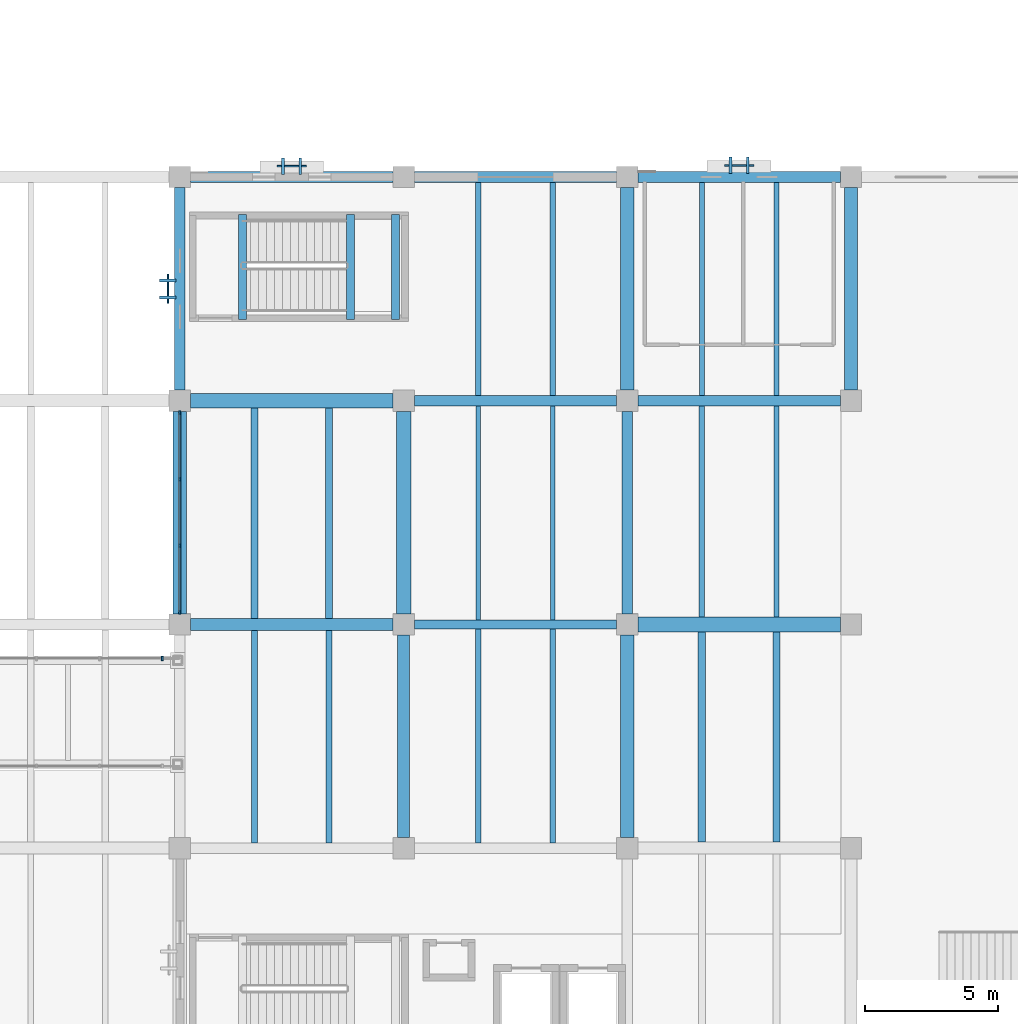
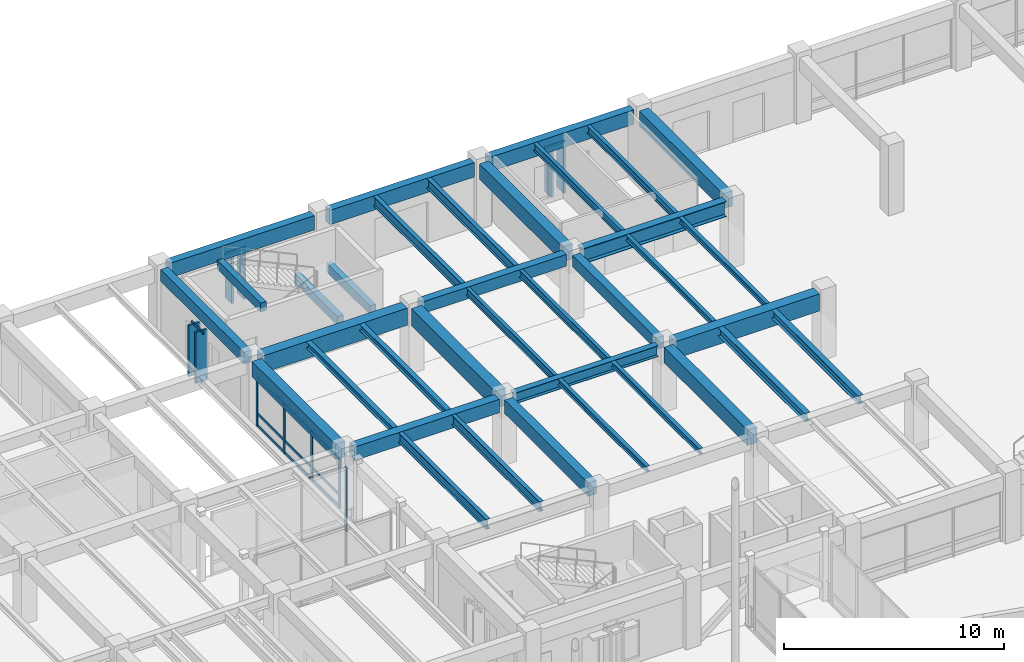
# One storey, part 49 of 135: 36 beams, 23 members, 5 elements without a shape of their own.
"""IFC4 building model written with IfcOpenShell, lengths in metres."""

import ifcopenshell
import ifcopenshell.guid

model = None  # the IFC model being written
_history = None  # IfcOwnerHistory: only IFC2X3 demands one
_inside = {}  # id of a spatial element -> (the spatial element, [elements in it])
_under = {}  # id of a project, library or spatial element -> (it, [spatial elements below it])
_declared = {}  # id of a project -> (the project, [libraries it declares])
_typed = {}  # id of a type object -> (the type object, [elements of that type])
_made_of = {}  # id of a material, layer set ... -> (it, [elements and type objects made of it])


def new_model(schema):
    """Start an empty IFC model of exactly this schema.

    Asked for "IFC4X3", IfcOpenShell would pick the latest addendum, in which some entities
    have other attributes; the version numbers below select the first issue.
    IFC2X3 requires an IfcOwnerHistory on every rooted entity: one is made here for all.
    """
    global model, _history
    if schema == "IFC4X3":
        model = ifcopenshell.file(schema_version=(4, 3, 0, 0))
    else:
        model = ifcopenshell.file(schema=schema)
    _inside.clear()
    _under.clear()
    _declared.clear()
    _typed.clear()
    _made_of.clear()
    _history = None
    if model.schema == "IFC2X3":
        org = make("IfcOrganization", Name="unknown")
        user = make(
            "IfcPersonAndOrganization",
            ThePerson=make("IfcPerson", FamilyName="unknown"),
            TheOrganization=org,
        )
        app = make(
            "IfcApplication",
            ApplicationDeveloper=org,
            Version="unknown",
            ApplicationFullName="unknown",
            ApplicationIdentifier="unknown",
        )
        _history = make(
            "IfcOwnerHistory",
            OwningUser=user,
            OwningApplication=app,
            ChangeAction="ADDED",
            CreationDate=0,
        )
    return model


def make(cls, **values):
    """One entity of the class cls with the attributes given. An attribute that is None is left unset."""
    return model.create_entity(
        cls, **{name: value for name, value in values.items() if value is not None}
    )


def rooted(cls, **values):
    """An entity with a GlobalId (a new one), such as an element, a storey or a relation."""
    return make(cls, GlobalId=ifcopenshell.guid.new(), OwnerHistory=_history, **values)


def si_unit(unit_type, name, prefix=None):
    """IfcSIUnit, for example si_unit("LENGTHUNIT", "METRE", prefix="MILLI")."""
    return make("IfcSIUnit", UnitType=unit_type, Prefix=prefix, Name=name)


def assignment(units):
    """IfcUnitAssignment: the units of a project."""
    return None if units is None else make("IfcUnitAssignment", Units=units)


def point(xyz):
    """IfcCartesianPoint."""
    return None if xyz is None else make("IfcCartesianPoint", Coordinates=xyz)


def direction(xyz):
    """IfcDirection."""
    return None if xyz is None else make("IfcDirection", DirectionRatios=xyz)


def frame(location, z_axis=None, x_axis=None):
    """IfcAxis2Placement3D, a coordinate frame: its origin and axes. An axis left out is left unset."""
    return make(
        "IfcAxis2Placement3D",
        Location=point(location),
        Axis=direction(z_axis),
        RefDirection=direction(x_axis),
    )


def frame_2d(location, x_axis=None):
    """IfcAxis2Placement2D, a coordinate frame in the plane: its origin and x axis."""
    return make(
        "IfcAxis2Placement2D", Location=point(location), RefDirection=direction(x_axis)
    )


def origin():
    """The frame at (0, 0, 0) with its axes left unset."""
    return frame((0.0, 0.0, 0.0))


def origin_2d():
    """The frame at (0, 0) in the plane with its x axis left unset."""
    return frame_2d((0.0, 0.0))


def place(relative_to, where):
    """IfcLocalPlacement: puts the frame where relative to a parent placement (None: the world)."""
    return make(
        "IfcLocalPlacement", PlacementRelTo=relative_to, RelativePlacement=where
    )


def context(
    kind, dimensions, precision=None, world=None, true_north=None, identifier=None
):
    """IfcGeometricRepresentationContext, for example the 3D "Model" context."""
    return make(
        "IfcGeometricRepresentationContext",
        ContextIdentifier=identifier,
        ContextType=kind,
        CoordinateSpaceDimension=dimensions,
        Precision=precision,
        WorldCoordinateSystem=world,
        TrueNorth=true_north,
    )


def subcontext(parent, identifier, kind, view, scale=None):
    """IfcGeometricRepresentationSubContext, for example "Body" below "Model"."""
    return make(
        "IfcGeometricRepresentationSubContext",
        ContextIdentifier=identifier,
        ContextType=kind,
        ParentContext=parent,
        TargetScale=scale,
        TargetView=view,
    )


def project(units=None, contexts=None):
    """IfcProject with its units and contexts."""
    return rooted(
        "IfcProject",
        Name="project",
        RepresentationContexts=contexts,
        UnitsInContext=assignment(units),
    )


def spatial(cls, under=None, at=None, **own):
    """A site, building, storey or space (cls), placed at a placement, below another one or the project."""
    s = rooted(cls, ObjectPlacement=at, **own)
    if under is not None:
        _under.setdefault(under.id(), (under, []))[1].append(s)
    return s


def profile(cls, at=None, kind="AREA", **sizes):
    """A parametric profile (cls). Its sizes go by their IFC names, for example OverallWidth=200.0."""
    return make(cls, ProfileType=kind, Position=at, **sizes)


def rectangle(**sizes):
    """IfcRectangleProfileDef."""
    return profile("IfcRectangleProfileDef", **sizes)


def i_section(**sizes):
    """IfcIShapeProfileDef."""
    return profile("IfcIShapeProfileDef", **sizes)


def extrude(swept, where, along, depth):
    """IfcExtrudedAreaSolid: the profile swept, set in the frame where, extruded along a direction by depth."""
    return make(
        "IfcExtrudedAreaSolid",
        SweptArea=swept,
        Position=where,
        ExtrudedDirection=direction(along),
        Depth=depth,
    )


def shape(context_of_items, identifier, shape_type, items):
    """IfcShapeRepresentation: the items that make up one representation, for example the "Body"."""
    return make(
        "IfcShapeRepresentation",
        ContextOfItems=context_of_items,
        RepresentationIdentifier=identifier,
        RepresentationType=shape_type,
        Items=items,
    )


def material(Name=None, Category=None):
    """IfcMaterial."""
    return make("IfcMaterial", Name=Name, Category=Category)


def material_profile(
    of_material, cross_section, Name=None, Category=None, Priority=None
):
    """IfcMaterialProfile: a cross section and its material."""
    return make(
        "IfcMaterialProfile",
        Name=Name,
        Material=of_material,
        Profile=cross_section,
        Priority=Priority,
        Category=Category,
    )


def profile_set(profiles, Name=None, composite=None):
    """IfcMaterialProfileSet."""
    return make(
        "IfcMaterialProfileSet",
        Name=Name,
        MaterialProfiles=profiles,
        CompositeProfile=composite,
    )


def made_of(thing, what):
    """Note that an element or type object is made of a material, layer set ...; save() writes the relation."""
    if what is not None:
        _made_of.setdefault(what.id(), (what, []))[1].append(thing)
    return thing


def type_object(cls, material=None, **own):
    """A type object (cls), such as IfcWallType, which elements share."""
    return made_of(rooted(cls, **own), material)


def element(
    cls,
    number,
    at=None,
    inside=None,
    cuts=None,
    type_object=None,
    material=None,
    context=None,
    identifier="Body",
    shape_type=None,
    held_by="IfcProductDefinitionShape",
    body=None,
    shapes=None,
    **own,
):
    """One element of the class cls, such as IfcWall. Its Tag is "e" and its number.

    at: its placement. inside: the storey or other place that contains it. cuts: it is an
    opening in that element (IfcRelVoidsElement). A single representation is given by context,
    identifier, shape_type and body (its items); several are given by shapes. held_by: the class
    of the entity that holds the representations. save() writes the other relations.
    """
    e = rooted(cls, Tag="e%d" % number, ObjectPlacement=at, **own)
    if body is not None:
        shapes = [shape(context, identifier, shape_type, body)]
    if shapes is not None:
        e.Representation = make(held_by, Representations=shapes)
    if inside is not None:
        _inside.setdefault(inside.id(), (inside, []))[1].append(e)
    if cuts is not None:
        rooted(
            "IfcRelVoidsElement", RelatingBuildingElement=cuts, RelatedOpeningElement=e
        )
    if type_object is not None:
        _typed.setdefault(type_object.id(), (type_object, []))[1].append(e)
    return made_of(e, material)


def aggregate(whole, parts):
    """IfcRelAggregates: a whole, such as a stair, and the parts it consists of."""
    return rooted("IfcRelAggregates", RelatingObject=whole, RelatedObjects=parts)


def save(model, path):
    """Write the relations noted so far, then the file.

    IfcRelAggregates (storeys below a building ...), IfcRelContainedInSpatialStructure (elements
    in a storey), IfcRelDefinesByType, IfcRelAssociatesMaterial and IfcRelDeclares: one each for
    every whole, place, type object, material and project.
    """
    for whole, parts in _under.values():
        aggregate(whole, parts)
    for where, things in _inside.values():
        rooted(
            "IfcRelContainedInSpatialStructure",
            RelatedElements=things,
            RelatingStructure=where,
        )
    for kind, things in _typed.values():
        rooted("IfcRelDefinesByType", RelatedObjects=things, RelatingType=kind)
    for what, things in _made_of.values():
        rooted("IfcRelAssociatesMaterial", RelatedObjects=things, RelatingMaterial=what)
    for by, libraries in _declared.values():
        rooted("IfcRelDeclares", RelatingContext=by, RelatedDefinitions=libraries)
    model.write(path)


model = new_model("IFC4")

# Units and contexts
model_context = context("Model", 3, precision=1e-05, world=origin(), true_north=direction((0.0, 1.0)))
body_context = subcontext(model_context, "Body", "Model", "MODEL_VIEW")
ifc_project = project(units=[si_unit("LENGTHUNIT", "METRE"), si_unit("AREAUNIT", "SQUARE_METRE"), si_unit("VOLUMEUNIT", "CUBIC_METRE"), si_unit("PLANEANGLEUNIT", "RADIAN"), si_unit("MASSUNIT", "GRAM", prefix="KILO")], contexts=[model_context])

# Site, building, storey
site_placement = place(None, origin())
site = spatial("IfcSite", under=ifc_project, at=site_placement, CompositionType="ELEMENT")
building_placement = place(site_placement, origin())
building = spatial("IfcBuilding", under=site, at=building_placement, Name="Cumbredor Promenade Congress Hotel", CompositionType="ELEMENT")
storey_placement = place(building_placement, origin())
storey = spatial("IfcBuildingStorey", under=building, at=storey_placement, Name="L00", CompositionType="ELEMENT", Elevation=0.0)

# Beams
ifc_material_1 = material(Name="Concrete C40/50", Category="concrete")
ifc_material_profile_1 = material_profile(ifc_material_1, rectangle(XDim=0.39990234375, YDim=0.64990234375, at=origin_2d()), Name="RC BEAM 400x650")
ifc_profile_set_1 = profile_set([ifc_material_profile_1], Name="Concrete C40/50")
beam_type_1 = type_object("IfcBeamType", Name="BM-RC-400x650", PredefinedType="BEAM", material=ifc_profile_set_1)
beam_1_placement = place(storey_placement, frame((92.39990234375, 109.60009765625, 3.31494140625), z_axis=(0.0, 1.0, 0.0), x_axis=(-1.0, 0.0, 0.0)))
element("IfcBeam", 1, at=beam_1_placement, inside=storey, type_object=beam_type_1, Name="L01 Y-Grid Beam 174", PredefinedType="BEAM", context=body_context, shape_type="SweptSolid", body=[
    extrude(rectangle(XDim=0.39990234375, YDim=0.64990234375, at=origin_2d()), origin(), (0.0, 0.0, 1.0), 7.599853515625),
])
for number, where, z_axis, x_axis, name in (
    (2, (101.199951171875, 109.199951171875, 3.31494140625), (1.0, 0.0, 0.0), (0.0, 1.0, 0.0), "L01 X-Grid Beam 186"),
    (3, (109.199951171875, 101.199951171875, 3.31494140625), (0.0, 1.0, 0.0), (-1.0, 0.0, 0.0), "L01 Y-Grid Beam 198"),
):
    element("IfcBeam", number, at=place(storey_placement, frame(where, z_axis=z_axis, x_axis=x_axis)), inside=storey, type_object=beam_type_1, Name=name, PredefinedType="BEAM", context=body_context, shape_type="SweptSolid", body=[
        extrude(rectangle(XDim=0.39990234375, YDim=0.64990234375, at=origin_2d()), origin(), (0.0, 0.0, 1.0), 7.60009765625),
    ])
ifc_material_profile_2 = material_profile(ifc_material_1, rectangle(XDim=0.449951171875, YDim=0.75, at=origin_2d()), Name="RC BEAM 450x750")
ifc_profile_set_2 = profile_set([ifc_material_profile_2], Name="Concrete C40/50")
beam_type_2 = type_object("IfcBeamType", Name="BM-RC-450x750", PredefinedType="BEAM", material=ifc_profile_set_2)
for number, where, z_axis, x_axis, name in (
    (4, (92.800048828125, 100.800048828125, 3.264892578125), (1.0, 0.0, 0.0), (0.0, 1.0, 0.0), "L01 X-Grid Beam 171"),
    (5, (100.800048828125, 92.800048828125, 3.264892578125), (0.0, 1.0, 0.0), (-1.0, 0.0, 0.0), "L01 Y-Grid Beam 183"),
):
    element("IfcBeam", number, at=place(storey_placement, frame(where, z_axis=z_axis, x_axis=x_axis)), inside=storey, type_object=beam_type_2, Name=name, PredefinedType="BEAM", context=body_context, shape_type="SweptSolid", body=[
        extrude(rectangle(XDim=0.449951171875, YDim=0.75, at=origin_2d()), origin(), (0.0, 0.0, 1.0), 7.599853515625),
    ])
ifc_material_profile_3 = material_profile(ifc_material_1, rectangle(XDim=0.5, YDim=0.85009765625, at=origin_2d()), Name="RC BEAM 500x850")
ifc_profile_set_3 = profile_set([ifc_material_profile_3], Name="Concrete C40/50")
beam_type_3 = type_object("IfcBeamType", Name="BM-RC-500x850", PredefinedType="BEAM", material=ifc_profile_set_3)
beam_2_placement = place(storey_placement, frame((92.39990234375, 101.199951171875, 3.215087890625), z_axis=(0.0, 1.0, 0.0), x_axis=(-1.0, 0.0, 0.0)))
element("IfcBeam", 6, at=beam_2_placement, inside=storey, type_object=beam_type_3, Name="L01 Y-Grid Beam 172", PredefinedType="BEAM", context=body_context, shape_type="SweptSolid", body=[
    extrude(rectangle(XDim=0.5, YDim=0.85009765625, at=origin_2d()), origin(), (0.0, 0.0, 1.0), 7.60009765625),
])
for number, where, z_axis, x_axis, name in (
    (7, (109.199951171875, 92.800048828125, 3.215087890625), (0.0, 1.0, 0.0), (-1.0, 0.0, 0.0), "L01 Y-Grid Beam 196"),
    (8, (109.199951171875, 109.60009765625, 3.215087890625), (0.0, 1.0, 0.0), (-1.0, 0.0, 0.0), "L01 Y-Grid Beam 200"),
    (9, (117.60009765625, 109.60009765625, 3.215087890625), (0.0, 1.0, 0.0), (-1.0, 0.0, 0.0), "L01 Y-Grid Beam 204"),
):
    element("IfcBeam", number, at=place(storey_placement, frame(where, z_axis=z_axis, x_axis=x_axis)), inside=storey, type_object=beam_type_3, Name=name, PredefinedType="BEAM", context=body_context, shape_type="SweptSolid", body=[
        extrude(rectangle(XDim=0.5, YDim=0.85009765625, at=origin_2d()), origin(), (0.0, 0.0, 1.0), 7.599853515625),
    ])
ifc_material_profile_4 = material_profile(ifc_material_1, rectangle(XDim=0.550048828125, YDim=0.949951171875, at=origin_2d()), Name="RC BEAM 550x950")
ifc_profile_set_4 = profile_set([ifc_material_profile_4], Name="Concrete C40/50")
beam_type_4 = type_object("IfcBeamType", Name="BM-RC-550x950", PredefinedType="BEAM", material=ifc_profile_set_4)
beam_3_placement = place(storey_placement, frame((92.800048828125, 109.199951171875, 3.1650390625), z_axis=(1.0, 0.0, 0.0), x_axis=(0.0, 1.0, 0.0)))
element("IfcBeam", 10, at=beam_3_placement, inside=storey, type_object=beam_type_4, Name="L01 X-Grid Beam 173", PredefinedType="BEAM", context=body_context, shape_type="SweptSolid", body=[
    extrude(rectangle(XDim=0.550048828125, YDim=0.949951171875, at=origin_2d()), origin(), (0.0, 0.0, 1.0), 7.599853515625),
])
beam_4_placement = place(storey_placement, frame((100.800048828125, 101.199951171875, 3.1650390625), z_axis=(0.0, 1.0, 0.0), x_axis=(-1.0, 0.0, 0.0)))
element("IfcBeam", 11, at=beam_4_placement, inside=storey, type_object=beam_type_4, Name="L01 Y-Grid Beam 185", PredefinedType="BEAM", context=body_context, shape_type="SweptSolid", body=[
    extrude(rectangle(XDim=0.550048828125, YDim=0.949951171875, at=origin_2d()), origin(), (0.0, 0.0, 1.0), 7.60009765625),
])
beam_5_placement = place(storey_placement, frame((109.60009765625, 100.800048828125, 3.1650390625), z_axis=(1.0, 0.0, 0.0), x_axis=(0.0, 1.0, 0.0)))
element("IfcBeam", 12, at=beam_5_placement, inside=storey, type_object=beam_type_4, Name="L01 X-Grid Beam 197", PredefinedType="BEAM", context=body_context, shape_type="SweptSolid", body=[
    extrude(rectangle(XDim=0.550048828125, YDim=0.949951171875, at=origin_2d()), origin(), (0.0, 0.0, 1.0), 7.599853515625),
])
ifc_material_2 = material(Name="Steel ASTM A992 Grade 50", Category="steel")
ifc_material_profile_5 = material_profile(ifc_material_2, i_section(OverallWidth=0.323974609375, OverallDepth=0.611083984375, WebThickness=0.0126953125, FlangeThickness=0.01904296875, at=origin_2d()), Name="W24X104")
ifc_profile_set_5 = profile_set([ifc_material_profile_5], Name="Steel ASTM A992 Grade 50")
beam_type_5 = type_object("IfcBeamType", Name="BM-W24X104", PredefinedType="BEAM", material=ifc_profile_set_5)
beam_6_placement = place(storey_placement, frame((101.199951171875, 100.800048828125, 3.33447265625), z_axis=(1.0, 0.0, 0.0), x_axis=(0.0, 1.0, 0.0)))
element("IfcBeam", 13, at=beam_6_placement, inside=storey, type_object=beam_type_5, Name="L01 X-Grid Beam 184", PredefinedType="BEAM", context=body_context, shape_type="SweptSolid", body=[
    extrude(i_section(OverallWidth=0.323974609375, OverallDepth=0.611083984375, WebThickness=0.0126953125, FlangeThickness=0.01904296875, at=origin_2d()), origin(), (0.0, 0.0, 1.0), 7.60009765625),
])
ifc_material_profile_6 = material_profile(ifc_material_2, i_section(OverallWidth=0.39990234375, OverallDepth=0.85498046875, WebThickness=0.018310546875, FlangeThickness=0.029296875, at=origin_2d()), Name="W33X201")
ifc_profile_set_6 = profile_set([ifc_material_profile_6], Name="Steel ASTM A992 Grade 50")
beam_type_6 = type_object("IfcBeamType", Name="BM-W33X201", PredefinedType="BEAM", material=ifc_profile_set_6)
beam_7_placement = place(storey_placement, frame((109.60009765625, 109.199951171875, 3.21240234375), z_axis=(1.0, 0.0, 0.0), x_axis=(0.0, 1.0, 0.0)))
element("IfcBeam", 14, at=beam_7_placement, inside=storey, type_object=beam_type_6, Name="L01 X-Grid Beam 199", PredefinedType="BEAM", context=body_context, shape_type="SweptSolid", body=[
    extrude(i_section(OverallWidth=0.39990234375, OverallDepth=0.85498046875, WebThickness=0.018310546875, FlangeThickness=0.029296875, at=origin_2d()), origin(), (0.0, 0.0, 1.0), 7.599853515625),
])

# Curtain wall, members
ifc_material_3 = material(Name="Thermally broken anodized aluminium and low-E glass", Category="aluminium")
curtain_wall_type_1 = type_object("IfcCurtainWallType", Name="Unitised Grand Foyer Curtain Wall CW-04", PredefinedType="NOTDEFINED", material=ifc_material_3)
curtain_wall_1_placement = place(storey_placement, origin())
curtain_wall_1 = element("IfcCurtainWall", 15, at=curtain_wall_1_placement, inside=storey, type_object=curtain_wall_type_1, Name="L00 Pre-Function and Breakout Meeting Forum West Curtain Wall 3", PredefinedType="NOTDEFINED")
ifc_material_4 = material(Name="Thermally broken anodized aluminium", Category="aluminium")
ifc_material_profile_7 = material_profile(ifc_material_4, rectangle(XDim=0.06494140625, YDim=0.159912109375, at=origin_2d()), Name="ALU MULLION 65x160")
ifc_profile_set_7 = profile_set([ifc_material_profile_7], Name="Thermally broken anodized aluminium")
member_type_1 = type_object("IfcMemberType", Name="Curtain Wall Mullion ML-01", PredefinedType="MULLION", material=ifc_profile_set_7)
member_1_placement = place(storey_placement, frame((92.39990234375, 101.2548828125, -0.008056640625), z_axis=(0.0, 0.0, 1.0), x_axis=(1.0, 0.0, 0.0)))
member_1 = element("IfcMember", 16, at=member_1_placement, type_object=member_type_1, Name="L00 Pre-Function and Breakout Meeting Forum West Curtain Wall 3 Mullion 1", PredefinedType="MULLION", context=body_context, shape_type="SweptSolid", body=[
    extrude(rectangle(XDim=0.06494140625, YDim=0.159912109375, at=origin_2d()), origin(), (0.0, 0.0, 1.0), 2.791015625),
])
member_2_placement = place(storey_placement, frame((92.39990234375, 103.751708984375, -0.008056640625), z_axis=(0.0, 0.0, 1.0), x_axis=(1.0, 0.0, 0.0)))
member_2 = element("IfcMember", 17, at=member_2_placement, type_object=member_type_1, Name="L00 Pre-Function and Breakout Meeting Forum West Curtain Wall 3 Mullion 2", PredefinedType="MULLION", context=body_context, shape_type="SweptSolid", body=[
    extrude(rectangle(XDim=0.06494140625, YDim=0.159912109375, at=origin_2d()), origin(), (0.0, 0.0, 1.0), 2.791015625),
])
member_3_placement = place(storey_placement, frame((92.39990234375, 106.248291015625, -0.008056640625), z_axis=(0.0, 0.0, 1.0), x_axis=(1.0, 0.0, 0.0)))
member_3 = element("IfcMember", 18, at=member_3_placement, type_object=member_type_1, Name="L00 Pre-Function and Breakout Meeting Forum West Curtain Wall 3 Mullion 3", PredefinedType="MULLION", context=body_context, shape_type="SweptSolid", body=[
    extrude(rectangle(XDim=0.06494140625, YDim=0.159912109375, at=origin_2d()), origin(), (0.0, 0.0, 1.0), 2.791015625),
])
member_4_placement = place(storey_placement, frame((92.39990234375, 108.7451171875, -0.008056640625), z_axis=(0.0, 0.0, 1.0), x_axis=(1.0, 0.0, 0.0)))
member_4 = element("IfcMember", 19, at=member_4_placement, type_object=member_type_1, Name="L00 Pre-Function and Breakout Meeting Forum West Curtain Wall 3 Mullion 4", PredefinedType="MULLION", context=body_context, shape_type="SweptSolid", body=[
    extrude(rectangle(XDim=0.06494140625, YDim=0.159912109375, at=origin_2d()), origin(), (0.0, 0.0, 1.0), 2.791015625),
])

# Curtain wall, member
curtain_wall_type_2 = type_object("IfcCurtainWallType", Name="Unitised Bridge Glazing Screen CW-05", PredefinedType="NOTDEFINED", material=ifc_material_3)
curtain_wall_2_placement = place(storey_placement, origin())
curtain_wall_2 = element("IfcCurtainWall", 20, at=curtain_wall_2_placement, inside=storey, type_object=curtain_wall_type_2, Name="L00 North Hotel-to-Forum Glazed Bridge North Glazing Screen", PredefinedType="NOTDEFINED")
member_5_placement = place(storey_placement, frame((91.739990234375, 99.52001953125, -0.008056640625), z_axis=(0.0, 0.0, 1.0), x_axis=(1.0, 0.0, 0.0)))
member_5 = element("IfcMember", 21, at=member_5_placement, type_object=member_type_1, Name="L00 North Hotel-to-Forum Glazed Bridge North Glazing Screen Mullion 4", PredefinedType="MULLION", context=body_context, shape_type="SweptSolid", body=[
    extrude(rectangle(XDim=0.06494140625, YDim=0.159912109375, at=origin_2d()), origin(), (0.0, 0.0, 1.0), 3.55615234375),
])
aggregate(curtain_wall_2, [member_5])

curtain_wall_type_3 = type_object("IfcCurtainWallType", Name="Solar Brise-Soleil Screen Assembly CW-07", PredefinedType="NOTDEFINED", material=ifc_material_3)
curtain_wall_3_placement = place(storey_placement, origin())
curtain_wall_3 = element("IfcCurtainWall", 22, at=curtain_wall_3_placement, inside=storey, type_object=curtain_wall_type_3, Name="L00 Pier Brise-Soleil Screen 0064", PredefinedType="NOTDEFINED")
ifc_material_profile_8 = material_profile(ifc_material_4, rectangle(XDim=0.06494140625, YDim=0.1298828125, at=origin_2d()), Name="ALU TRANSOM 65x130")
ifc_profile_set_8 = profile_set([ifc_material_profile_8], Name="Thermally broken anodized aluminium")
member_type_2 = type_object("IfcMemberType", Name="Curtain Wall Transom TR-01", PredefinedType="USERDEFINED", material=ifc_profile_set_8)
member_6_placement = place(storey_placement, frame((96.050048828125, 118.010009765625, 2.6650390625), z_axis=(1.0, 0.0, 0.0), x_axis=(0.0, 1.0, 0.0)))
member_6 = element("IfcMember", 23, at=member_6_placement, type_object=member_type_2, Name="L00 Pier Brise-Soleil Header 0066", ObjectType="TRANSOM", PredefinedType="USERDEFINED", context=body_context, shape_type="SweptSolid", body=[
    extrude(rectangle(XDim=0.06494140625, YDim=0.1298828125, at=origin_2d()), origin(), (0.0, 0.0, 1.0), 1.099853515625),
])

curtain_wall_4_placement = place(storey_placement, origin())
curtain_wall_4 = element("IfcCurtainWall", 24, at=curtain_wall_4_placement, inside=storey, type_object=curtain_wall_type_3, Name="L00 Pier Brise-Soleil Screen 0067", PredefinedType="NOTDEFINED")
member_7_placement = place(storey_placement, frame((112.85009765625, 118.034912109375, 2.6650390625), z_axis=(1.0, 0.0, 0.0), x_axis=(0.0, 1.0, 0.0)))
member_7 = element("IfcMember", 25, at=member_7_placement, type_object=member_type_2, Name="L00 Pier Brise-Soleil Header 0069", ObjectType="TRANSOM", PredefinedType="USERDEFINED", context=body_context, shape_type="SweptSolid", body=[
    extrude(rectangle(XDim=0.06494140625, YDim=0.1298828125, at=origin_2d()), origin(), (0.0, 0.0, 1.0), 1.099853515625),
])

# Member
member_8_placement = place(storey_placement, frame((92.39990234375, 101.28759765625, 0.070068359375), z_axis=(0.0, 1.0, 0.0), x_axis=(-1.0, 0.0, 0.0)))
member_8 = element("IfcMember", 26, at=member_8_placement, type_object=member_type_2, Name="L00 Pre-Function and Breakout Meeting Forum West Curtain Wall 3 Transom 1.1", ObjectType="TRANSOM", PredefinedType="USERDEFINED", context=body_context, shape_type="SweptSolid", body=[
    extrude(rectangle(XDim=0.06494140625, YDim=0.1298828125, at=origin_2d()), origin(), (0.0, 0.0, 1.0), 2.431640625),
])

member_9_placement = place(storey_placement, frame((92.39990234375, 101.28759765625, 0.719970703125), z_axis=(0.0, 1.0, 0.0), x_axis=(-1.0, 0.0, 0.0)))
member_9 = element("IfcMember", 27, at=member_9_placement, type_object=member_type_2, Name="L00 Pre-Function and Breakout Meeting Forum West Curtain Wall 3 Transom 1.2", ObjectType="TRANSOM", PredefinedType="USERDEFINED", context=body_context, shape_type="SweptSolid", body=[
    extrude(rectangle(XDim=0.06494140625, YDim=0.1298828125, at=origin_2d()), origin(), (0.0, 0.0, 1.0), 2.431640625),
])

member_10_placement = place(storey_placement, frame((92.39990234375, 101.28759765625, 2.7099609375), z_axis=(0.0, 1.0, 0.0), x_axis=(-1.0, 0.0, 0.0)))
member_10 = element("IfcMember", 28, at=member_10_placement, type_object=member_type_2, Name="L00 Pre-Function and Breakout Meeting Forum West Curtain Wall 3 Transom 1.3", ObjectType="TRANSOM", PredefinedType="USERDEFINED", context=body_context, shape_type="SweptSolid", body=[
    extrude(rectangle(XDim=0.06494140625, YDim=0.1298828125, at=origin_2d()), origin(), (0.0, 0.0, 1.0), 2.431640625),
])

member_11_placement = place(storey_placement, frame((92.39990234375, 103.7841796875, 0.070068359375), z_axis=(0.0, 1.0, 0.0), x_axis=(-1.0, 0.0, 0.0)))
member_11 = element("IfcMember", 29, at=member_11_placement, type_object=member_type_2, Name="L00 Pre-Function and Breakout Meeting Forum West Curtain Wall 3 Transom 2.1", ObjectType="TRANSOM", PredefinedType="USERDEFINED", context=body_context, shape_type="SweptSolid", body=[
    extrude(rectangle(XDim=0.06494140625, YDim=0.1298828125, at=origin_2d()), origin(), (0.0, 0.0, 1.0), 2.431640625),
])

member_12_placement = place(storey_placement, frame((92.39990234375, 103.7841796875, 0.719970703125), z_axis=(0.0, 1.0, 0.0), x_axis=(-1.0, 0.0, 0.0)))
member_12 = element("IfcMember", 30, at=member_12_placement, type_object=member_type_2, Name="L00 Pre-Function and Breakout Meeting Forum West Curtain Wall 3 Transom 2.2", ObjectType="TRANSOM", PredefinedType="USERDEFINED", context=body_context, shape_type="SweptSolid", body=[
    extrude(rectangle(XDim=0.06494140625, YDim=0.1298828125, at=origin_2d()), origin(), (0.0, 0.0, 1.0), 2.431640625),
])

member_13_placement = place(storey_placement, frame((92.39990234375, 103.7841796875, 2.7099609375), z_axis=(0.0, 1.0, 0.0), x_axis=(-1.0, 0.0, 0.0)))
member_13 = element("IfcMember", 31, at=member_13_placement, type_object=member_type_2, Name="L00 Pre-Function and Breakout Meeting Forum West Curtain Wall 3 Transom 2.3", ObjectType="TRANSOM", PredefinedType="USERDEFINED", context=body_context, shape_type="SweptSolid", body=[
    extrude(rectangle(XDim=0.06494140625, YDim=0.1298828125, at=origin_2d()), origin(), (0.0, 0.0, 1.0), 2.431640625),
])

member_14_placement = place(storey_placement, frame((92.39990234375, 106.28076171875, 0.070068359375), z_axis=(0.0, 1.0, 0.0), x_axis=(-1.0, 0.0, 0.0)))
member_14 = element("IfcMember", 32, at=member_14_placement, type_object=member_type_2, Name="L00 Pre-Function and Breakout Meeting Forum West Curtain Wall 3 Transom 3.1", ObjectType="TRANSOM", PredefinedType="USERDEFINED", context=body_context, shape_type="SweptSolid", body=[
    extrude(rectangle(XDim=0.06494140625, YDim=0.1298828125, at=origin_2d()), origin(), (0.0, 0.0, 1.0), 2.431640625),
])

member_15_placement = place(storey_placement, frame((92.39990234375, 106.28076171875, 0.719970703125), z_axis=(0.0, 1.0, 0.0), x_axis=(-1.0, 0.0, 0.0)))
member_15 = element("IfcMember", 33, at=member_15_placement, type_object=member_type_2, Name="L00 Pre-Function and Breakout Meeting Forum West Curtain Wall 3 Transom 3.2", ObjectType="TRANSOM", PredefinedType="USERDEFINED", context=body_context, shape_type="SweptSolid", body=[
    extrude(rectangle(XDim=0.06494140625, YDim=0.1298828125, at=origin_2d()), origin(), (0.0, 0.0, 1.0), 2.431640625),
])

member_16_placement = place(storey_placement, frame((92.39990234375, 106.28076171875, 2.7099609375), z_axis=(0.0, 1.0, 0.0), x_axis=(-1.0, 0.0, 0.0)))
member_16 = element("IfcMember", 34, at=member_16_placement, type_object=member_type_2, Name="L00 Pre-Function and Breakout Meeting Forum West Curtain Wall 3 Transom 3.3", ObjectType="TRANSOM", PredefinedType="USERDEFINED", context=body_context, shape_type="SweptSolid", body=[
    extrude(rectangle(XDim=0.06494140625, YDim=0.1298828125, at=origin_2d()), origin(), (0.0, 0.0, 1.0), 2.431640625),
])

aggregate(curtain_wall_1, [member_1, member_2, member_3, member_4, member_8, member_9, member_10, member_11, member_12, member_13, member_14, member_15, member_16])

# Curtain wall, member
curtain_wall_5_placement = place(storey_placement, origin())
curtain_wall_5 = element("IfcCurtainWall", 35, at=curtain_wall_5_placement, inside=storey, type_object=curtain_wall_type_3, Name="L00 Pier Brise-Soleil Screen 0082", PredefinedType="NOTDEFINED")
member_17_placement = place(storey_placement, frame((91.949951171875, 112.85009765625, 2.81494140625), z_axis=(0.0, 1.0, 0.0), x_axis=(-1.0, 0.0, 0.0)))
member_17 = element("IfcMember", 36, at=member_17_placement, type_object=member_type_2, Name="L00 Pier Brise-Soleil Header 0084", ObjectType="TRANSOM", PredefinedType="USERDEFINED", context=body_context, shape_type="SweptSolid", body=[
    extrude(rectangle(XDim=0.06494140625, YDim=0.1298828125, at=origin_2d()), origin(), (0.0, 0.0, 1.0), 1.099853515625),
])

# Beams
ifc_material_profile_9 = material_profile(ifc_material_2, i_section(OverallWidth=0.202880859375, OverallDepth=0.302978515625, WebThickness=0.007568359375, FlangeThickness=0.01318359375, at=origin_2d()), Name="W12X40")
ifc_profile_set_9 = profile_set([ifc_material_profile_9], Name="Steel ASTM A992 Grade 50")
beam_type_7 = type_object("IfcBeamType", Name="JST-W12X40", PredefinedType="JOIST", material=ifc_profile_set_9)
for number, where, z_axis, x_axis, name in (
    (37, (103.60009765625, 92.60009765625, 3.488525390625), (0.0, 1.0, 0.0), (-1.0, 0.0, 0.0), "L01 Secondary Floor Joist 0108"),
    (38, (106.39990234375, 92.60009765625, 3.488525390625), (0.0, 1.0, 0.0), (-1.0, 0.0, 0.0), "L01 Secondary Floor Joist 0109"),
):
    element("IfcBeam", number, at=place(storey_placement, frame(where, z_axis=z_axis, x_axis=x_axis)), inside=storey, type_object=beam_type_7, Name=name, PredefinedType="JOIST", context=body_context, shape_type="SweptSolid", body=[
        extrude(i_section(OverallWidth=0.202880859375, OverallDepth=0.302978515625, WebThickness=0.007568359375, FlangeThickness=0.01318359375, at=origin_2d()), origin(), (0.0, 0.0, 1.0), 8.037841796875),
    ])
for number, where, z_axis, x_axis, name in (
    (39, (112.0, 101.074951171875, 3.488525390625), (0.0, 1.0, 0.0), (-1.0, 0.0, 0.0), "L01 Secondary Floor Joist 0118"),
    (40, (114.800048828125, 101.074951171875, 3.488525390625), (0.0, 1.0, 0.0), (-1.0, 0.0, 0.0), "L01 Secondary Floor Joist 0119"),
):
    element("IfcBeam", number, at=place(storey_placement, frame(where, z_axis=z_axis, x_axis=x_axis)), inside=storey, type_object=beam_type_7, Name=name, PredefinedType="JOIST", context=body_context, shape_type="SweptSolid", body=[
        extrude(i_section(OverallWidth=0.202880859375, OverallDepth=0.302978515625, WebThickness=0.007568359375, FlangeThickness=0.01318359375, at=origin_2d()), origin(), (0.0, 0.0, 1.0), 7.925048828125),
    ])
ifc_material_profile_10 = material_profile(ifc_material_2, i_section(OverallWidth=0.2548828125, OverallDepth=0.35693359375, WebThickness=0.010498046875, FlangeThickness=0.018310546875, at=origin_2d()), Name="W14X68")
ifc_profile_set_10 = profile_set([ifc_material_profile_10], Name="Steel ASTM A992 Grade 50")
beam_type_8 = type_object("IfcBeamType", Name="JST-W14X68", PredefinedType="JOIST", material=ifc_profile_set_10)
for number, where, z_axis, x_axis, name in (
    (41, (95.199951171875, 101.02490234375, 3.46142578125), (0.0, 1.0, 0.0), (-1.0, 0.0, 0.0), "L01 Secondary Floor Joist 0104"),
    (42, (98.0, 101.02490234375, 3.46142578125), (0.0, 1.0, 0.0), (-1.0, 0.0, 0.0), "L01 Secondary Floor Joist 0105"),
):
    element("IfcBeam", number, at=place(storey_placement, frame(where, z_axis=z_axis, x_axis=x_axis)), inside=storey, type_object=beam_type_8, Name=name, PredefinedType="JOIST", context=body_context, shape_type="SweptSolid", body=[
        extrude(i_section(OverallWidth=0.2548828125, OverallDepth=0.35693359375, WebThickness=0.010498046875, FlangeThickness=0.018310546875, at=origin_2d()), origin(), (0.0, 0.0, 1.0), 7.900146484375),
    ])
ifc_material_profile_11 = material_profile(ifc_material_2, i_section(OverallWidth=0.180908203125, OverallDepth=0.4169921875, WebThickness=0.010986328125, FlangeThickness=0.018310546875, at=origin_2d()), Name="W16X57")
ifc_profile_set_11 = profile_set([ifc_material_profile_11], Name="Steel ASTM A992 Grade 50")
beam_type_9 = type_object("IfcBeamType", Name="JST-W16X57", PredefinedType="JOIST", material=ifc_profile_set_11)
for number, where, z_axis, x_axis, name in (
    (43, (103.60009765625, 100.9619140625, 3.431396484375), (0.0, 1.0, 0.0), (-1.0, 0.0, 0.0), "L01 Secondary Floor Joist 0110"),
    (44, (106.39990234375, 100.9619140625, 3.431396484375), (0.0, 1.0, 0.0), (-1.0, 0.0, 0.0), "L01 Secondary Floor Joist 0111"),
):
    element("IfcBeam", number, at=place(storey_placement, frame(where, z_axis=z_axis, x_axis=x_axis)), inside=storey, type_object=beam_type_9, Name=name, PredefinedType="JOIST", context=body_context, shape_type="SweptSolid", body=[
        extrude(i_section(OverallWidth=0.180908203125, OverallDepth=0.4169921875, WebThickness=0.010986328125, FlangeThickness=0.018310546875, at=origin_2d()), origin(), (0.0, 0.0, 1.0), 8.0380859375),
    ])
for number, where, z_axis, x_axis, name in (
    (45, (112.0, 109.39990234375, 3.431396484375), (0.0, 1.0, 0.0), (-1.0, 0.0, 0.0), "L01 Secondary Floor Joist 0120"),
    (46, (114.800048828125, 109.39990234375, 3.431396484375), (0.0, 1.0, 0.0), (-1.0, 0.0, 0.0), "L01 Secondary Floor Joist 0121"),
):
    element("IfcBeam", number, at=place(storey_placement, frame(where, z_axis=z_axis, x_axis=x_axis)), inside=storey, type_object=beam_type_9, Name=name, PredefinedType="JOIST", context=body_context, shape_type="SweptSolid", body=[
        extrude(i_section(OverallWidth=0.180908203125, OverallDepth=0.4169921875, WebThickness=0.010986328125, FlangeThickness=0.018310546875, at=origin_2d()), origin(), (0.0, 0.0, 1.0), 8.0),
    ])
ifc_material_profile_12 = material_profile(ifc_material_2, i_section(OverallWidth=0.280029296875, OverallDepth=0.462890625, WebThickness=0.0107421875, FlangeThickness=0.017333984375, at=origin_2d()), Name="W18X76")
ifc_profile_set_12 = profile_set([ifc_material_profile_12], Name="Steel ASTM A992 Grade 50")
beam_type_10 = type_object("IfcBeamType", Name="JST-W18X76", PredefinedType="JOIST", material=ifc_profile_set_12)
for number, where, z_axis, x_axis, name in (
    (47, (112.0, 92.625, 3.408447265625), (0.0, 1.0, 0.0), (-1.0, 0.0, 0.0), "L01 Secondary Floor Joist 0116"),
    (48, (114.800048828125, 92.625, 3.408447265625), (0.0, 1.0, 0.0), (-1.0, 0.0, 0.0), "L01 Secondary Floor Joist 0117"),
):
    element("IfcBeam", number, at=place(storey_placement, frame(where, z_axis=z_axis, x_axis=x_axis)), inside=storey, type_object=beam_type_10, Name=name, PredefinedType="JOIST", context=body_context, shape_type="SweptSolid", body=[
        extrude(i_section(OverallWidth=0.280029296875, OverallDepth=0.462890625, WebThickness=0.0107421875, FlangeThickness=0.017333984375, at=origin_2d()), origin(), (0.0, 0.0, 1.0), 7.89990234375),
    ])
ifc_material_profile_13 = material_profile(ifc_material_2, i_section(OverallWidth=0.214111328125, OverallDepth=0.549072265625, WebThickness=0.0146484375, FlangeThickness=0.023681640625, at=origin_2d()), Name="W21X93")
ifc_profile_set_13 = profile_set([ifc_material_profile_13], Name="Steel ASTM A992 Grade 50")
beam_type_11 = type_object("IfcBeamType", Name="JST-W21X93", PredefinedType="JOIST", material=ifc_profile_set_13)
for number, where, z_axis, x_axis, name in (
    (49, (95.199951171875, 92.60009765625, 3.365478515625), (0.0, 1.0, 0.0), (-1.0, 0.0, 0.0), "L01 Secondary Floor Joist 0102"),
    (50, (98.0, 92.60009765625, 3.365478515625), (0.0, 1.0, 0.0), (-1.0, 0.0, 0.0), "L01 Secondary Floor Joist 0103"),
):
    element("IfcBeam", number, at=place(storey_placement, frame(where, z_axis=z_axis, x_axis=x_axis)), inside=storey, type_object=beam_type_11, Name=name, PredefinedType="JOIST", context=body_context, shape_type="SweptSolid", body=[
        extrude(i_section(OverallWidth=0.214111328125, OverallDepth=0.549072265625, WebThickness=0.0146484375, FlangeThickness=0.023681640625, at=origin_2d()), origin(), (0.0, 0.0, 1.0), 7.974853515625),
    ])
for number, where, z_axis, x_axis, name in (
    (51, (103.60009765625, 109.39990234375, 3.365478515625), (0.0, 1.0, 0.0), (-1.0, 0.0, 0.0), "L01 Secondary Floor Joist 0112"),
    (52, (106.39990234375, 109.39990234375, 3.365478515625), (0.0, 1.0, 0.0), (-1.0, 0.0, 0.0), "L01 Secondary Floor Joist 0113"),
):
    element("IfcBeam", number, at=place(storey_placement, frame(where, z_axis=z_axis, x_axis=x_axis)), inside=storey, type_object=beam_type_11, Name=name, PredefinedType="JOIST", context=body_context, shape_type="SweptSolid", body=[
        extrude(i_section(OverallWidth=0.214111328125, OverallDepth=0.549072265625, WebThickness=0.0146484375, FlangeThickness=0.023681640625, at=origin_2d()), origin(), (0.0, 0.0, 1.0), 8.0),
    ])
ifc_material_profile_14 = material_profile(ifc_material_1, rectangle(XDim=0.300048828125, YDim=0.5, at=origin_2d()), Name="RC LINTEL 300x500")
ifc_profile_set_14 = profile_set([ifc_material_profile_14], Name="Concrete C40/50")
beam_type_12 = type_object("IfcBeamType", Name="LN-RC-300x500", PredefinedType="LINTEL", material=ifc_profile_set_14)
for number, where, z_axis, x_axis, name in (
    (53, (100.5, 112.25, 1.510009765625), (0.0, 1.0, 0.0), (-1.0, 0.0, 0.0), "L00 Stair ST-15 Landing Ledger Beam E"),
    (54, (98.800048828125, 112.25, 1.510009765625), (0.0, 1.0, 0.0), (-1.0, 0.0, 0.0), "L00 Stair ST-15 Landing Ledger Beam W"),
    (55, (94.75, 112.25, 3.669921875), (0.0, 1.0, 0.0), (-1.0, 0.0, 0.0), "L01 Stair ST-15 Well Header Trimmer Beam"),
):
    element("IfcBeam", number, at=place(storey_placement, frame(where, z_axis=z_axis, x_axis=x_axis)), inside=storey, type_object=beam_type_12, Name=name, PredefinedType="LINTEL", context=body_context, shape_type="SweptSolid", body=[
        extrude(rectangle(XDim=0.300048828125, YDim=0.5, at=origin_2d()), origin(), (0.0, 0.0, 1.0), 3.949951171875),
    ])
ifc_material_profile_15 = material_profile(ifc_material_1, rectangle(XDim=0.39990234375, YDim=0.800048828125, at=origin_2d()), Name="RC SPANDREL 400x800")
ifc_profile_set_15 = profile_set([ifc_material_profile_15], Name="Concrete C40/50")
beam_type_13 = type_object("IfcBeamType", Name="SP-RC-400x800", PredefinedType="SPANDREL", material=ifc_profile_set_15)
beam_8_placement = place(storey_placement, frame((92.800048828125, 117.60009765625, 3.239990234375), z_axis=(1.0, 0.0, 0.0), x_axis=(0.0, 1.0, 0.0)))
element("IfcBeam", 56, at=beam_8_placement, inside=storey, type_object=beam_type_13, Name="L01 X-Grid Beam 175", PredefinedType="SPANDREL", context=body_context, shape_type="SweptSolid", body=[
    extrude(rectangle(XDim=0.39990234375, YDim=0.800048828125, at=origin_2d()), origin(), (0.0, 0.0, 1.0), 7.599853515625),
])
beam_9_placement = place(storey_placement, frame((101.199951171875, 117.60009765625, 3.239990234375), z_axis=(1.0, 0.0, 0.0), x_axis=(0.0, 1.0, 0.0)))
element("IfcBeam", 57, at=beam_9_placement, inside=storey, type_object=beam_type_13, Name="L01 X-Grid Beam 187", PredefinedType="SPANDREL", context=body_context, shape_type="SweptSolid", body=[
    extrude(rectangle(XDim=0.39990234375, YDim=0.800048828125, at=origin_2d()), origin(), (0.0, 0.0, 1.0), 7.60009765625),
])
beam_10_placement = place(storey_placement, frame((109.60009765625, 117.60009765625, 3.239990234375), z_axis=(1.0, 0.0, 0.0), x_axis=(0.0, 1.0, 0.0)))
element("IfcBeam", 58, at=beam_10_placement, inside=storey, type_object=beam_type_13, Name="L01 X-Grid Beam 201", PredefinedType="SPANDREL", context=body_context, shape_type="SweptSolid", body=[
    extrude(rectangle(XDim=0.39990234375, YDim=0.800048828125, at=origin_2d()), origin(), (0.0, 0.0, 1.0), 7.599853515625),
])

# Member
ifc_material_profile_16 = material_profile(ifc_material_4, rectangle(XDim=0.110107421875, YDim=0.6201171875, at=origin_2d()), Name="ARCH FIN 110x620")
ifc_profile_set_16 = profile_set([ifc_material_profile_16], Name="Thermally broken anodized aluminium")
member_type_3 = type_object("IfcMemberType", Name="Vertical Bronze Brise-Soleil Fin BSF-02 110x620", PredefinedType="USERDEFINED", material=ifc_profile_set_16)
member_18_placement = place(storey_placement, frame((96.280029296875, 118.010009765625, 0.02001953125), z_axis=(0.0, 0.0, 1.0), x_axis=(1.0, 0.0, 0.0)))
member_18 = element("IfcMember", 59, at=member_18_placement, type_object=member_type_3, Name="L00 Pier Brise-Soleil Fin 0065", ObjectType="SOLAR FIN", PredefinedType="USERDEFINED", context=body_context, shape_type="SweptSolid", body=[
    extrude(rectangle(XDim=0.110107421875, YDim=0.6201171875, at=origin_2d()), origin(), (0.0, 0.0, 1.0), 2.68505859375),
])

member_19_placement = place(storey_placement, frame((96.919921875, 118.010009765625, 0.02001953125), z_axis=(0.0, 0.0, 1.0), x_axis=(1.0, 0.0, 0.0)))
member_19 = element("IfcMember", 60, at=member_19_placement, type_object=member_type_3, Name="L00 Pier Brise-Soleil Fin 0066", ObjectType="SOLAR FIN", PredefinedType="USERDEFINED", context=body_context, shape_type="SweptSolid", body=[
    extrude(rectangle(XDim=0.110107421875, YDim=0.6201171875, at=origin_2d()), origin(), (0.0, 0.0, 1.0), 2.68505859375),
])

aggregate(curtain_wall_3, [member_18, member_19, member_6])

member_20_placement = place(storey_placement, frame((113.080078125, 118.034912109375, 0.02001953125), z_axis=(0.0, 0.0, 1.0), x_axis=(1.0, 0.0, 0.0)))
member_20 = element("IfcMember", 61, at=member_20_placement, type_object=member_type_3, Name="L00 Pier Brise-Soleil Fin 0068", ObjectType="SOLAR FIN", PredefinedType="USERDEFINED", context=body_context, shape_type="SweptSolid", body=[
    extrude(rectangle(XDim=0.110107421875, YDim=0.6201171875, at=origin_2d()), origin(), (0.0, 0.0, 1.0), 2.68505859375),
])

member_21_placement = place(storey_placement, frame((113.719970703125, 118.034912109375, 0.02001953125), z_axis=(0.0, 0.0, 1.0), x_axis=(1.0, 0.0, 0.0)))
member_21 = element("IfcMember", 62, at=member_21_placement, type_object=member_type_3, Name="L00 Pier Brise-Soleil Fin 0069", ObjectType="SOLAR FIN", PredefinedType="USERDEFINED", context=body_context, shape_type="SweptSolid", body=[
    extrude(rectangle(XDim=0.110107421875, YDim=0.6201171875, at=origin_2d()), origin(), (0.0, 0.0, 1.0), 2.68505859375),
])

aggregate(curtain_wall_4, [member_20, member_21, member_7])

member_22_placement = place(storey_placement, frame((91.949951171875, 113.080078125, 0.02001953125), z_axis=(0.0, 0.0, 1.0), x_axis=(0.0, 1.0, 0.0)))
member_22 = element("IfcMember", 63, at=member_22_placement, type_object=member_type_3, Name="L00 Pier Brise-Soleil Fin 0083", ObjectType="SOLAR FIN", PredefinedType="USERDEFINED", context=body_context, shape_type="SweptSolid", body=[
    extrude(rectangle(XDim=0.110107421875, YDim=0.6201171875, at=origin_2d()), origin(), (0.0, 0.0, 1.0), 2.8349609375),
])

member_23_placement = place(storey_placement, frame((91.949951171875, 113.719970703125, 0.02001953125), z_axis=(0.0, 0.0, 1.0), x_axis=(0.0, 1.0, 0.0)))
member_23 = element("IfcMember", 64, at=member_23_placement, type_object=member_type_3, Name="L00 Pier Brise-Soleil Fin 0084", ObjectType="SOLAR FIN", PredefinedType="USERDEFINED", context=body_context, shape_type="SweptSolid", body=[
    extrude(rectangle(XDim=0.110107421875, YDim=0.6201171875, at=origin_2d()), origin(), (0.0, 0.0, 1.0), 2.8349609375),
])

aggregate(curtain_wall_5, [member_22, member_23, member_17])

save(model, "model.ifc")
